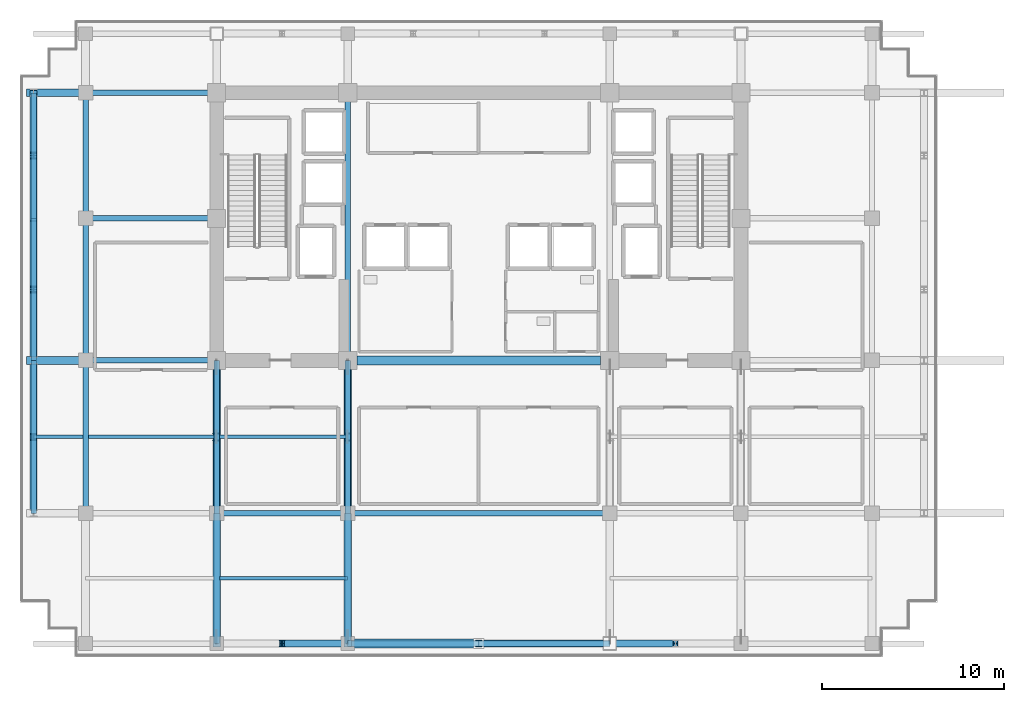
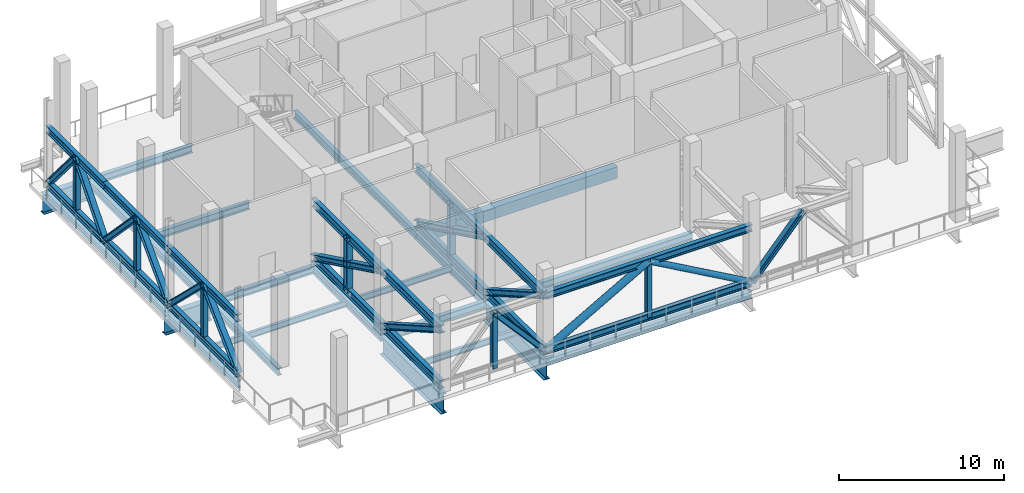
# One storey, part 2 of 13: 33 members, 23 beams.
"""IFC4 building model written with IfcOpenShell, lengths in metres."""

from ifc_helpers import new_model, si_unit, direction, frame, origin, origin_2d, place, context, subcontext, project, spatial, rectangle, hollow_circle, i_section, extrude, source, transform, mapped, material, material_profile, profile_set, type_object, element, save


model = new_model("IFC4")

# Units and contexts
model_context = context("Model", 3, precision=1e-05, world=origin(), true_north=direction((0.0, 1.0)))
body_context = subcontext(model_context, "Body", "Model", "MODEL_VIEW")
ifc_project = project(units=[si_unit("LENGTHUNIT", "METRE"), si_unit("AREAUNIT", "SQUARE_METRE"), si_unit("VOLUMEUNIT", "CUBIC_METRE"), si_unit("PLANEANGLEUNIT", "RADIAN"), si_unit("MASSUNIT", "GRAM", prefix="KILO")], contexts=[model_context])

# Site, building, storey
site_placement = place(None, origin())
site = spatial("IfcSite", under=ifc_project, at=site_placement, CompositionType="ELEMENT")
building_placement = place(site_placement, origin())
building = spatial("IfcBuilding", under=site, at=building_placement, Name="Zarnakvel Exchange Tower", CompositionType="ELEMENT")
storey_placement = place(building_placement, frame((0.0, 0.0, 139.60009765625)))
storey = spatial("IfcBuildingStorey", under=building, at=storey_placement, Name="L39", CompositionType="ELEMENT", Elevation=139.60009765625)

# Beams
ifc_material_1 = material(Name="Steel S355", Category="steel")
ifc_material_profile_1 = material_profile(ifc_material_1, i_section(OverallWidth=0.18994140625, OverallDepth=0.449951171875, WebThickness=0.009521484375, FlangeThickness=0.0146484375, FilletRadius=0.02099609375, at=origin_2d()))
ifc_profile_set_1 = profile_set([ifc_material_profile_1], Name="Steel S355")
beam_type_1 = type_object("IfcBeamType", Name="B-05", PredefinedType="JOIST", material=ifc_profile_set_1)
beam_1_placement = place(storey_placement, frame((-14.2451171875, -13.175048828125, -0.47509765625), z_axis=(1.0, 0.0, 0.0), x_axis=(0.0, 1.0, 0.0)))
element("IfcBeam", 1, at=beam_1_placement, inside=storey, type_object=beam_type_1, Name="L39 Composite Floor Secondary Joist", PredefinedType="JOIST", context=body_context, shape_type="SweptSolid", body=[
    extrude(i_section(OverallWidth=0.18994140625, OverallDepth=0.449951171875, WebThickness=0.009521484375, FlangeThickness=0.0146484375, FilletRadius=0.02099609375, at=origin_2d()), origin(), (0.0, 0.0, 1.0), 7.045166015625),
])
beam_2_placement = place(storey_placement, frame((-24.449951171875, -5.39990234375, -0.47509765625), z_axis=(1.0, 0.0, 0.0), x_axis=(0.0, 1.0, 0.0)))
element("IfcBeam", 2, at=beam_2_placement, inside=storey, type_object=beam_type_1, Name="L39 Composite Floor Secondary Joist", PredefinedType="JOIST", context=body_context, shape_type="SweptSolid", body=[
    extrude(i_section(OverallWidth=0.18994140625, OverallDepth=0.449951171875, WebThickness=0.009521484375, FlangeThickness=0.0146484375, FilletRadius=0.02099609375, at=origin_2d()), origin(), (0.0, 0.0, 1.0), 2.699951171875),
])
beam_3_placement = place(storey_placement, frame((-21.449951171875, -5.39990234375, -0.47509765625), z_axis=(1.0, 0.0, 0.0), x_axis=(0.0, 1.0, 0.0)))
element("IfcBeam", 3, at=beam_3_placement, inside=storey, type_object=beam_type_1, Name="L39 Composite Floor Secondary Joist", PredefinedType="JOIST", context=body_context, shape_type="SweptSolid", body=[
    extrude(i_section(OverallWidth=0.18994140625, OverallDepth=0.449951171875, WebThickness=0.009521484375, FlangeThickness=0.0146484375, FilletRadius=0.02099609375, at=origin_2d()), origin(), (0.0, 0.0, 1.0), 6.89990234375),
])
beam_4_placement = place(storey_placement, frame((-14.25, -5.39990234375, -0.47509765625), z_axis=(1.0, 0.0, 0.0), x_axis=(0.0, 1.0, 0.0)))
element("IfcBeam", 4, at=beam_4_placement, inside=storey, type_object=beam_type_1, Name="L39 Composite Floor Secondary Joist", PredefinedType="JOIST", context=body_context, shape_type="SweptSolid", body=[
    extrude(i_section(OverallWidth=0.18994140625, OverallDepth=0.449951171875, WebThickness=0.009521484375, FlangeThickness=0.0146484375, FilletRadius=0.02099609375, at=origin_2d()), origin(), (0.0, 0.0, 1.0), 7.050048828125),
])
ifc_material_2 = material(Name="Concrete C60/75", Category="concrete")
ifc_material_profile_2 = material_profile(ifc_material_2, rectangle(XDim=0.5, YDim=0.85009765625, at=origin_2d()))
ifc_profile_set_2 = profile_set([ifc_material_profile_2], Name="Concrete C60/75")
beam_type_2 = type_object("IfcBeamType", Name="CB-02", PredefinedType="LINTEL", material=ifc_profile_set_2)
beam_5_placement = place(storey_placement, frame((-6.699951171875, -1.199951171875, -0.675048828125), z_axis=(1.0, 0.0, 0.0), x_axis=(0.0, 1.0, 0.0)))
element("IfcBeam", 5, at=beam_5_placement, inside=storey, type_object=beam_type_2, Name="L39 Rear Core South Coupling Beam (CB-02)", PredefinedType="LINTEL", context=body_context, shape_type="SweptSolid", body=[
    extrude(rectangle(XDim=0.5, YDim=0.85009765625, at=origin_2d()), origin(), (0.0, 0.0, 1.0), 13.39990234375),
])
ifc_material_profile_3 = material_profile(ifc_material_1, i_section(OverallWidth=0.300048828125, OverallDepth=0.550048828125, WebThickness=0.014892578125, FlangeThickness=0.029052734375, FilletRadius=0.027099609375, at=origin_2d()))
ifc_profile_set_3 = profile_set([ifc_material_profile_3], Name="Steel S355")
beam_type_3 = type_object("IfcBeamType", Name="G-05", PredefinedType="BEAM", material=ifc_profile_set_3)
beam_6_placement = place(storey_placement, frame((-14.39990234375, -9.60009765625, -0.525146484375), z_axis=(1.0, 0.0, 0.0), x_axis=(0.0, 1.0, 0.0)))
element("IfcBeam", 6, at=beam_6_placement, inside=storey, type_object=beam_type_3, Name="L39 Tower E-W Frame Beam", PredefinedType="BEAM", context=body_context, shape_type="SweptSolid", body=[
    extrude(i_section(OverallWidth=0.300048828125, OverallDepth=0.550048828125, WebThickness=0.014892578125, FlangeThickness=0.029052734375, FilletRadius=0.027099609375, at=origin_2d()), origin(), (0.0, 0.0, 1.0), 7.199951171875),
])
beam_7_placement = place(storey_placement, frame((-7.199951171875, -9.60009765625, -0.525146484375), z_axis=(1.0, 0.0, 0.0), x_axis=(0.0, 1.0, 0.0)))
element("IfcBeam", 7, at=beam_7_placement, inside=storey, type_object=beam_type_3, Name="L39 Tower E-W Frame Beam", PredefinedType="BEAM", context=body_context, shape_type="SweptSolid", body=[
    extrude(i_section(OverallWidth=0.300048828125, OverallDepth=0.550048828125, WebThickness=0.014892578125, FlangeThickness=0.029052734375, FilletRadius=0.027099609375, at=origin_2d()), origin(), (0.0, 0.0, 1.0), 14.39990234375),
])
for number, where, z_axis, x_axis, name in (
    (8, (-21.60009765625, -1.199951171875, -0.525146484375), (1.0, 0.0, 0.0), (0.0, 1.0, 0.0), "L39 Tower E-W Frame Beam"),
    (9, (-21.60009765625, 6.60009765625, -0.525146484375), (1.0, 0.0, 0.0), (0.0, 1.0, 0.0), "L39 Tower E-W Frame Beam"),
    (10, (-21.60009765625, 13.5, -0.525146484375), (1.0, 0.0, 0.0), (0.0, 1.0, 0.0), "L39 Tower E-W Frame Beam"),
):
    element("IfcBeam", number, at=place(storey_placement, frame(where, z_axis=z_axis, x_axis=x_axis)), inside=storey, type_object=beam_type_3, Name=name, PredefinedType="BEAM", context=body_context, shape_type="SweptSolid", body=[
        extrude(i_section(OverallWidth=0.300048828125, OverallDepth=0.550048828125, WebThickness=0.014892578125, FlangeThickness=0.029052734375, FilletRadius=0.027099609375, at=origin_2d()), origin(), (0.0, 0.0, 1.0), 7.2001953125),
    ])
beam_8_placement = place(storey_placement, frame((-21.60009765625, -9.60009765625, -0.525146484375), z_axis=(0.0, 1.0, 0.0), x_axis=(-1.0, 0.0, 0.0)))
element("IfcBeam", 11, at=beam_8_placement, inside=storey, type_object=beam_type_3, Name="L39 Tower N-S Frame Beam", PredefinedType="BEAM", context=body_context, shape_type="SweptSolid", body=[
    extrude(i_section(OverallWidth=0.300048828125, OverallDepth=0.550048828125, WebThickness=0.014892578125, FlangeThickness=0.029052734375, FilletRadius=0.027099609375, at=origin_2d()), origin(), (0.0, 0.0, 1.0), 8.400146484375),
])
beam_9_placement = place(storey_placement, frame((-21.60009765625, -1.199951171875, -0.525146484375), z_axis=(0.0, 1.0, 0.0), x_axis=(-1.0, 0.0, 0.0)))
element("IfcBeam", 12, at=beam_9_placement, inside=storey, type_object=beam_type_3, Name="L39 Tower N-S Frame Beam", PredefinedType="BEAM", context=body_context, shape_type="SweptSolid", body=[
    extrude(i_section(OverallWidth=0.300048828125, OverallDepth=0.550048828125, WebThickness=0.014892578125, FlangeThickness=0.029052734375, FilletRadius=0.027099609375, at=origin_2d()), origin(), (0.0, 0.0, 1.0), 7.800048828125),
])
beam_10_placement = place(storey_placement, frame((-21.60009765625, 6.60009765625, -0.525146484375), z_axis=(0.0, 1.0, 0.0), x_axis=(-1.0, 0.0, 0.0)))
element("IfcBeam", 13, at=beam_10_placement, inside=storey, type_object=beam_type_3, Name="L39 Tower N-S Frame Beam", PredefinedType="BEAM", context=body_context, shape_type="SweptSolid", body=[
    extrude(i_section(OverallWidth=0.300048828125, OverallDepth=0.550048828125, WebThickness=0.014892578125, FlangeThickness=0.029052734375, FilletRadius=0.027099609375, at=origin_2d()), origin(), (0.0, 0.0, 1.0), 6.89990234375),
])
for number, where, z_axis, x_axis, name in (
    (14, (-14.39990234375, -9.60009765625, -0.525146484375), (0.0, 1.0, 0.0), (-1.0, 0.0, 0.0), "L39 Tower N-S Frame Beam"),
    (15, (-7.199951171875, -9.60009765625, -0.525146484375), (0.0, 1.0, 0.0), (-1.0, 0.0, 0.0), "L39 Tower N-S Frame Beam"),
):
    element("IfcBeam", number, at=place(storey_placement, frame(where, z_axis=z_axis, x_axis=x_axis)), inside=storey, type_object=beam_type_3, Name=name, PredefinedType="BEAM", context=body_context, shape_type="SweptSolid", body=[
        extrude(i_section(OverallWidth=0.300048828125, OverallDepth=0.550048828125, WebThickness=0.014892578125, FlangeThickness=0.029052734375, FilletRadius=0.027099609375, at=origin_2d()), origin(), (0.0, 0.0, 1.0), 8.400146484375),
    ])
beam_11_placement = place(storey_placement, frame((-7.199951171875, -1.199951171875, -0.525146484375), z_axis=(0.0, 1.0, 0.0), x_axis=(-1.0, 0.0, 0.0)))
element("IfcBeam", 16, at=beam_11_placement, inside=storey, type_object=beam_type_3, Name="L39 Tower N-S Frame Beam", PredefinedType="BEAM", context=body_context, shape_type="SweptSolid", body=[
    extrude(i_section(OverallWidth=0.300048828125, OverallDepth=0.550048828125, WebThickness=0.014892578125, FlangeThickness=0.029052734375, FilletRadius=0.027099609375, at=origin_2d()), origin(), (0.0, 0.0, 1.0), 14.699951171875),
])
ifc_material_profile_4 = material_profile(ifc_material_1, i_section(OverallWidth=0.300048828125, OverallDepth=0.5, WebThickness=0.014404296875, FlangeThickness=0.028076171875, FilletRadius=0.027099609375, at=origin_2d()))
ifc_profile_set_4 = profile_set([ifc_material_profile_4], Name="Steel S355")
beam_type_4 = type_object("IfcBeamType", Name="SP-02", PredefinedType="SPANDREL", material=ifc_profile_set_4)
beam_12_placement = place(storey_placement, frame((-7.199951171875, -16.75, -0.5), z_axis=(1.0, 0.0, 0.0), x_axis=(0.0, 1.0, 0.0)))
element("IfcBeam", 17, at=beam_12_placement, inside=storey, type_object=beam_type_4, Name="L39 Tower E-W Frame Beam", PredefinedType="SPANDREL", context=body_context, shape_type="SweptSolid", body=[
    extrude(i_section(OverallWidth=0.300048828125, OverallDepth=0.5, WebThickness=0.014404296875, FlangeThickness=0.028076171875, FilletRadius=0.027099609375, at=origin_2d()), origin(), (0.0, 0.0, 1.0), 14.39990234375),
])
beam_13_placement = place(storey_placement, frame((-24.449951171875, -9.60009765625, -0.5), z_axis=(0.0, 1.0, 0.0), x_axis=(-1.0, 0.0, 0.0)))
element("IfcBeam", 18, at=beam_13_placement, inside=storey, type_object=beam_type_4, Name="L39 Tower N-S Frame Beam", PredefinedType="SPANDREL", context=body_context, shape_type="SweptSolid", body=[
    extrude(i_section(OverallWidth=0.300048828125, OverallDepth=0.5, WebThickness=0.014404296875, FlangeThickness=0.028076171875, FilletRadius=0.027099609375, at=origin_2d()), origin(), (0.0, 0.0, 1.0), 8.400146484375),
])
beam_14_placement = place(storey_placement, frame((-24.449951171875, -1.199951171875, -0.5), z_axis=(0.0, 1.0, 0.0), x_axis=(-1.0, 0.0, 0.0)))
element("IfcBeam", 19, at=beam_14_placement, inside=storey, type_object=beam_type_4, Name="L39 Tower N-S Frame Beam", PredefinedType="SPANDREL", context=body_context, shape_type="SweptSolid", body=[
    extrude(i_section(OverallWidth=0.300048828125, OverallDepth=0.5, WebThickness=0.014404296875, FlangeThickness=0.028076171875, FilletRadius=0.027099609375, at=origin_2d()), origin(), (0.0, 0.0, 1.0), 14.699951171875),
])
ifc_material_3 = material(Name="Steel S460", Category="steel")
ifc_material_profile_5 = material_profile(ifc_material_3, i_section(OverallWidth=0.419921875, OverallDepth=1.449951171875, WebThickness=0.02392578125, FlangeThickness=0.0400390625, FilletRadius=0.030029296875, at=origin_2d()))
ifc_profile_set_5 = profile_set([ifc_material_profile_5], Name="Steel S460")
beam_type_5 = type_object("IfcBeamType", Name="TG-01", PredefinedType="BEAM", material=ifc_profile_set_5)
for number, where, z_axis, x_axis, name in (
    (20, (-14.39990234375, -16.949951171875, -0.97509765625), (0.0, 1.0, 0.0), (-1.0, 0.0, 0.0), "L39 Setback N-S Transfer Girder TS-4"),
    (21, (-7.199951171875, -16.949951171875, -0.97509765625), (0.0, 1.0, 0.0), (-1.0, 0.0, 0.0), "L39 Setback N-S Transfer Girder TS-5"),
):
    element("IfcBeam", number, at=place(storey_placement, frame(where, z_axis=z_axis, x_axis=x_axis)), inside=storey, type_object=beam_type_5, Name=name, PredefinedType="BEAM", context=body_context, shape_type="SweptSolid", body=[
        extrude(i_section(OverallWidth=0.419921875, OverallDepth=1.449951171875, WebThickness=0.02392578125, FlangeThickness=0.0400390625, FilletRadius=0.030029296875, at=origin_2d()), origin(), (0.0, 0.0, 1.0), 7.349853515625),
    ])
for number, where, z_axis, x_axis, name in (
    (22, (-24.85009765625, -1.199951171875, -0.97509765625), (1.0, 0.0, 0.0), (0.0, 1.0, 0.0), "L39 Setback E-W Transfer Girder TW-D"),
    (23, (-24.85009765625, 13.5, -0.97509765625), (1.0, 0.0, 0.0), (0.0, 1.0, 0.0), "L39 Setback E-W Transfer Girder TW-F"),
):
    element("IfcBeam", number, at=place(storey_placement, frame(where, z_axis=z_axis, x_axis=x_axis)), inside=storey, type_object=beam_type_5, Name=name, PredefinedType="BEAM", context=body_context, shape_type="SweptSolid", body=[
        extrude(i_section(OverallWidth=0.419921875, OverallDepth=1.449951171875, WebThickness=0.02392578125, FlangeThickness=0.0400390625, FilletRadius=0.030029296875, at=origin_2d()), origin(), (0.0, 0.0, 1.0), 3.25),
    ])

# Members
ifc_material_profile_6 = material_profile(ifc_material_1, i_section(OverallWidth=0.305908203125, OverallDepth=0.52392578125, WebThickness=0.02099609375, FlangeThickness=0.0400390625, FilletRadius=0.027099609375, at=origin_2d()))
ifc_profile_set_6 = profile_set([ifc_material_profile_6], Name="Steel S355")
member_type_1 = type_object("IfcMemberType", Name="BT-02", PredefinedType="CHORD", material=ifc_profile_set_6)
shared_shape_1 = source(origin(), body_context, "Body", "SweptSolid", [
    extrude(i_section(OverallWidth=0.305908203125, OverallDepth=0.52392578125, WebThickness=0.02099609375, FlangeThickness=0.0400390625, FilletRadius=0.027099609375, at=origin_2d()), origin(), (0.0, 0.0, 1.0), 8.400146484375),
])
for number, where, z_axis, x_axis, name in (
    (24, (-24.449951171875, -9.60009765625, 0.349853515625), (0.0, 1.0, 0.0), (-1.0, 0.0, 0.0), "L39 Belt Truss Bottom Chord W-1"),
    (25, (-24.449951171875, -9.60009765625, 4.4248046875), (0.0, 1.0, 0.0), (-1.0, 0.0, 0.0), "L39 Belt Truss Top Chord W-1"),
):
    element("IfcMember", number, at=place(storey_placement, frame(where, z_axis=z_axis, x_axis=x_axis)), inside=storey, type_object=member_type_1, Name=name, PredefinedType="CHORD", context=body_context, shape_type="MappedRepresentation", body=[
        mapped(shared_shape_1, transform((0.0, 0.0, 0.0), x_axis=(1.0, 0.0, 0.0), y_axis=(0.0, 1.0, 0.0), z_axis=(0.0, 0.0, 1.0), scale=1.0)),
    ])
shared_shape_2 = source(origin(), body_context, "Body", "SweptSolid", [
    extrude(i_section(OverallWidth=0.305908203125, OverallDepth=0.52392578125, WebThickness=0.02099609375, FlangeThickness=0.0400390625, FilletRadius=0.027099609375, at=origin_2d()), origin(), (0.0, 0.0, 1.0), 7.800048828125),
])
for number, where, z_axis, x_axis, name in (
    (26, (-24.449951171875, -1.199951171875, 0.349853515625), (0.0, 1.0, 0.0), (-1.0, 0.0, 0.0), "L39 Belt Truss Bottom Chord W-2"),
    (27, (-24.449951171875, -1.199951171875, 4.4248046875), (0.0, 1.0, 0.0), (-1.0, 0.0, 0.0), "L39 Belt Truss Top Chord W-2"),
):
    element("IfcMember", number, at=place(storey_placement, frame(where, z_axis=z_axis, x_axis=x_axis)), inside=storey, type_object=member_type_1, Name=name, PredefinedType="CHORD", context=body_context, shape_type="MappedRepresentation", body=[
        mapped(shared_shape_2, transform((0.0, 0.0, 0.0), x_axis=(1.0, 0.0, 0.0), y_axis=(0.0, 1.0, 0.0), z_axis=(0.0, 0.0, 1.0), scale=1.0)),
    ])
shared_shape_3 = source(origin(), body_context, "Body", "SweptSolid", [
    extrude(i_section(OverallWidth=0.305908203125, OverallDepth=0.52392578125, WebThickness=0.02099609375, FlangeThickness=0.0400390625, FilletRadius=0.027099609375, at=origin_2d()), origin(), (0.0, 0.0, 1.0), 6.89990234375),
])
for number, where, z_axis, x_axis, name in (
    (28, (-24.449951171875, 6.60009765625, 0.349853515625), (0.0, 1.0, 0.0), (-1.0, 0.0, 0.0), "L39 Belt Truss Bottom Chord W-3"),
    (29, (-24.449951171875, 6.60009765625, 4.4248046875), (0.0, 1.0, 0.0), (-1.0, 0.0, 0.0), "L39 Belt Truss Top Chord W-3"),
):
    element("IfcMember", number, at=place(storey_placement, frame(where, z_axis=z_axis, x_axis=x_axis)), inside=storey, type_object=member_type_1, Name=name, PredefinedType="CHORD", context=body_context, shape_type="MappedRepresentation", body=[
        mapped(shared_shape_3, transform((0.0, 0.0, 0.0), x_axis=(1.0, 0.0, 0.0), y_axis=(0.0, 1.0, 0.0), z_axis=(0.0, 0.0, 1.0), scale=1.0)),
    ])
shared_shape_4 = source(origin(), body_context, "Body", "SweptSolid", [
    extrude(i_section(OverallWidth=0.305908203125, OverallDepth=0.52392578125, WebThickness=0.02099609375, FlangeThickness=0.0400390625, FilletRadius=0.027099609375, at=origin_2d()), origin(), (0.0, 0.0, 1.0), 14.39990234375),
])
for number, where, z_axis, x_axis, name in (
    (30, (-7.199951171875, -16.75, 0.349853515625), (1.0, 0.0, 0.0), (0.0, 1.0, 0.0), "L39 Portal Bridge Bottom Chord"),
    (31, (-7.199951171875, -16.75, 4.4248046875), (1.0, 0.0, 0.0), (0.0, 1.0, 0.0), "L39 Portal Bridge Top Chord"),
):
    element("IfcMember", number, at=place(storey_placement, frame(where, z_axis=z_axis, x_axis=x_axis)), inside=storey, type_object=member_type_1, Name=name, PredefinedType="CHORD", context=body_context, shape_type="MappedRepresentation", body=[
        mapped(shared_shape_4, transform((0.0, 0.0, 0.0), x_axis=(1.0, 0.0, 0.0), y_axis=(0.0, 1.0, 0.0), z_axis=(0.0, 0.0, 1.0), scale=1.0)),
    ])
ifc_material_profile_7 = material_profile(ifc_material_3, i_section(OverallWidth=0.304931640625, OverallDepth=0.6201171875, WebThickness=0.02099609375, FlangeThickness=0.0400390625, FilletRadius=0.027099609375, at=origin_2d()))
ifc_profile_set_7 = profile_set([ifc_material_profile_7], Name="Steel S460")
member_type_2 = type_object("IfcMemberType", Name="OT-02", PredefinedType="CHORD", material=ifc_profile_set_7)
shared_shape_5 = source(origin(), body_context, "Body", "SweptSolid", [
    extrude(i_section(OverallWidth=0.304931640625, OverallDepth=0.6201171875, WebThickness=0.02099609375, FlangeThickness=0.0400390625, FilletRadius=0.027099609375, at=origin_2d()), origin(), (0.0, 0.0, 1.0), 15.550048828125),
])
for number, where, z_axis, x_axis, name in (
    (32, (-14.39990234375, -16.75, 0.349853515625), (0.0, 1.0, 0.0), (-1.0, 0.0, 0.0), "L39 Outrigger Bottom Chord Grid 4"),
    (33, (-14.39990234375, -16.75, 4.4248046875), (0.0, 1.0, 0.0), (-1.0, 0.0, 0.0), "L39 Outrigger Top Chord Grid 4"),
    (34, (-7.199951171875, -16.75, 0.349853515625), (0.0, 1.0, 0.0), (-1.0, 0.0, 0.0), "L39 Outrigger Bottom Chord Grid 5"),
    (35, (-7.199951171875, -16.75, 4.4248046875), (0.0, 1.0, 0.0), (-1.0, 0.0, 0.0), "L39 Outrigger Top Chord Grid 5"),
):
    element("IfcMember", number, at=place(storey_placement, frame(where, z_axis=z_axis, x_axis=x_axis)), inside=storey, type_object=member_type_2, Name=name, PredefinedType="CHORD", context=body_context, shape_type="MappedRepresentation", body=[
        mapped(shared_shape_5, transform((0.0, 0.0, 0.0), x_axis=(1.0, 0.0, 0.0), y_axis=(0.0, 1.0, 0.0), z_axis=(0.0, 0.0, 1.0), scale=1.0)),
    ])
ifc_material_profile_8 = material_profile(ifc_material_3, i_section(OverallWidth=0.404052734375, OverallDepth=0.406982421875, WebThickness=0.0224609375, FlangeThickness=0.031982421875, FilletRadius=0.014892578125, at=origin_2d()))
ifc_profile_set_8 = profile_set([ifc_material_profile_8], Name="Steel S460")
member_type_3 = type_object("IfcMemberType", Name="OT-03", PredefinedType="STRUT", material=ifc_profile_set_8)
shared_shape_6 = source(origin(), body_context, "Body", "SweptSolid", [
    extrude(i_section(OverallWidth=0.404052734375, OverallDepth=0.406982421875, WebThickness=0.0224609375, FlangeThickness=0.031982421875, FilletRadius=0.014892578125, at=origin_2d()), origin(), (0.0, 0.0, 1.0), 4.074951171875),
])
for number, where, z_axis, x_axis, name in (
    (36, (-14.39990234375, -5.39990234375, 0.349853515625), (0.0, 0.0, 1.0), (1.0, 0.0, 0.0), "L39 Outrigger Web Post Grid 4"),
    (37, (-7.199951171875, -5.39990234375, 0.349853515625), (0.0, 0.0, 1.0), (1.0, 0.0, 0.0), "L39 Outrigger Web Post Grid 5"),
):
    element("IfcMember", number, at=place(storey_placement, frame(where, z_axis=z_axis, x_axis=x_axis)), inside=storey, type_object=member_type_3, Name=name, PredefinedType="STRUT", context=body_context, shape_type="MappedRepresentation", body=[
        mapped(shared_shape_6, transform((0.0, 0.0, 0.0), x_axis=(1.0, 0.0, 0.0), y_axis=(0.0, 1.0, 0.0), z_axis=(0.0, 0.0, 1.0), scale=1.0)),
    ])
ifc_material_profile_9 = material_profile(ifc_material_3, i_section(OverallWidth=0.412109375, OverallDepth=0.425048828125, WebThickness=0.02587890625, FlangeThickness=0.0390625, FilletRadius=0.014892578125, at=origin_2d()))
ifc_profile_set_9 = profile_set([ifc_material_profile_9], Name="Steel S460")
member_type_4 = type_object("IfcMemberType", Name="OT-01", PredefinedType="BRACE", material=ifc_profile_set_9)
shared_shape_7 = source(origin(), body_context, "Body", "SweptSolid", [
    extrude(i_section(OverallWidth=0.412109375, OverallDepth=0.425048828125, WebThickness=0.02587890625, FlangeThickness=0.0390625, FilletRadius=0.014892578125, at=origin_2d()), origin(), (0.0, 0.0, 1.0), 9.33642578125),
])
for number, where, z_axis, x_axis, name in (
    (38, (-14.39990234375, -1.199951171875, 0.349853515625), (0.0, -0.89972356607, 0.436460198252), (1.0, 0.0, 0.0), "L39 Outrigger Inner Diagonal 1 Grid 4"),
    (39, (-7.199951171875, -1.199951171875, 0.349853515625), (0.0, -0.89972356607, 0.436460198252), (1.0, 0.0, 0.0), "L39 Outrigger Inner Diagonal 1 Grid 5"),
):
    element("IfcMember", number, at=place(storey_placement, frame(where, z_axis=z_axis, x_axis=x_axis)), inside=storey, type_object=member_type_4, Name=name, PredefinedType="BRACE", context=body_context, shape_type="MappedRepresentation", body=[
        mapped(shared_shape_7, transform((0.0, 0.0, 0.0), x_axis=(1.0, 0.0, 0.0), y_axis=(0.0, 1.0, 0.0), z_axis=(0.0, 0.0, 1.0), scale=1.0)),
    ])
shared_shape_8 = source(origin(), body_context, "Body", "SweptSolid", [
    extrude(i_section(OverallWidth=0.412109375, OverallDepth=0.425048828125, WebThickness=0.02587890625, FlangeThickness=0.0390625, FilletRadius=0.014892578125, at=origin_2d()), origin(), (0.0, 0.0, 1.0), 8.2294921875),
])
for number, where, z_axis, x_axis, name in (
    (40, (-14.39990234375, -9.60009765625, 0.349853515625), (0.0, -0.868803050291, 0.49515781303), (1.0, 0.0, 0.0), "L39 Outrigger Outer Diagonal 2 Grid 4"),
    (41, (-7.199951171875, -9.60009765625, 0.349853515625), (0.0, -0.868803050291, 0.49515781303), (1.0, 0.0, 0.0), "L39 Outrigger Outer Diagonal 2 Grid 5"),
):
    element("IfcMember", number, at=place(storey_placement, frame(where, z_axis=z_axis, x_axis=x_axis)), inside=storey, type_object=member_type_4, Name=name, PredefinedType="BRACE", context=body_context, shape_type="MappedRepresentation", body=[
        mapped(shared_shape_8, transform((0.0, 0.0, 0.0), x_axis=(1.0, 0.0, 0.0), y_axis=(0.0, 1.0, 0.0), z_axis=(0.0, 0.0, 1.0), scale=1.0)),
    ])
ifc_material_profile_10 = material_profile(ifc_material_1, i_section(OverallWidth=0.30908203125, OverallDepth=0.35888671875, WebThickness=0.02099609375, FlangeThickness=0.033935546875, FilletRadius=0.014892578125, at=origin_2d()))
ifc_profile_set_10 = profile_set([ifc_material_profile_10], Name="Steel S355")
member_type_5 = type_object("IfcMemberType", Name="BT-03", PredefinedType="STRUT", material=ifc_profile_set_10)
shared_shape_9 = source(origin(), body_context, "Body", "SweptSolid", [
    extrude(i_section(OverallWidth=0.30908203125, OverallDepth=0.35888671875, WebThickness=0.02099609375, FlangeThickness=0.033935546875, FilletRadius=0.014892578125, at=origin_2d()), origin(), (0.0, 0.0, 1.0), 4.074951171875),
])
for number, where, z_axis, x_axis, name in (
    (42, (-10.800048828125, -16.75, 0.349853515625), (0.0, 0.0, 1.0), (1.0, 0.0, 0.0), "L39 Belt Truss Vertical Post S-W1"),
    (43, (-24.449951171875, -5.39990234375, 0.349853515625), (0.0, 0.0, 1.0), (1.0, 0.0, 0.0), "L39 Belt Truss Vertical Post W-1"),
    (44, (-24.449951171875, 2.699951171875, 0.349853515625), (0.0, 0.0, 1.0), (1.0, 0.0, 0.0), "L39 Belt Truss Vertical Post W-2"),
    (45, (-24.449951171875, 10.050048828125, 0.349853515625), (0.0, 0.0, 1.0), (1.0, 0.0, 0.0), "L39 Belt Truss Vertical Post W-3"),
    (46, (0.0, -16.75, 0.349853515625), (0.0, 0.0, 1.0), (1.0, 0.0, 0.0), "L39 Portal Bridge Center Post"),
):
    element("IfcMember", number, at=place(storey_placement, frame(where, z_axis=z_axis, x_axis=x_axis)), inside=storey, type_object=member_type_5, Name=name, PredefinedType="STRUT", context=body_context, shape_type="MappedRepresentation", body=[
        mapped(shared_shape_9, transform((0.0, 0.0, 0.0), x_axis=(1.0, 0.0, 0.0), y_axis=(0.0, 1.0, 0.0), z_axis=(0.0, 0.0, 1.0), scale=1.0)),
    ])
ifc_material_profile_11 = material_profile(ifc_material_1, i_section(OverallWidth=0.3740234375, OverallDepth=0.364013671875, WebThickness=0.01806640625, FlangeThickness=0.027587890625, FilletRadius=0.014892578125, at=origin_2d()))
ifc_profile_set_11 = profile_set([ifc_material_profile_11], Name="Steel S355")
member_type_6 = type_object("IfcMemberType", Name="BT-01", PredefinedType="BRACE", material=ifc_profile_set_11)
shared_shape_10 = source(origin(), body_context, "Body", "SweptSolid", [
    extrude(i_section(OverallWidth=0.3740234375, OverallDepth=0.364013671875, WebThickness=0.01806640625, FlangeThickness=0.027587890625, FilletRadius=0.014892578125, at=origin_2d()), origin(), (0.0, 0.0, 1.0), 5.4375),
])
for number, where, z_axis, x_axis, name in (
    (47, (-7.199951171875, -16.75, 0.349853515625), (-0.662092255635, 0.0, 0.749422340892), (0.0, -1.0, 0.0), "L39 Belt Truss Chevron Right S-W1"),
    (48, (7.199951171875, -16.75, 0.349853515625), (0.662092255635, 0.0, 0.749422340892), (0.0, 1.0, 0.0), "L39 Belt Truss Chevron Left S-E1"),
):
    element("IfcMember", number, at=place(storey_placement, frame(where, z_axis=z_axis, x_axis=x_axis)), inside=storey, type_object=member_type_6, Name=name, PredefinedType="BRACE", context=body_context, shape_type="MappedRepresentation", body=[
        mapped(shared_shape_10, transform((0.0, 0.0, 0.0), x_axis=(1.0, 0.0, 0.0), y_axis=(0.0, 1.0, 0.0), z_axis=(0.0, 0.0, 1.0), scale=1.0)),
    ])
shared_shape_11 = source(origin(), body_context, "Body", "SweptSolid", [
    extrude(i_section(OverallWidth=0.3740234375, OverallDepth=0.364013671875, WebThickness=0.01806640625, FlangeThickness=0.027587890625, FilletRadius=0.014892578125, at=origin_2d()), origin(), (0.0, 0.0, 1.0), 5.85205078125),
])
member_1_placement = place(storey_placement, frame((-24.449951171875, -9.60009765625, 0.349853515625), z_axis=(0.0, 0.717726625898, 0.696324989123), x_axis=(-1.0, 0.0, 0.0)))
element("IfcMember", 49, at=member_1_placement, inside=storey, type_object=member_type_6, Name="L39 Belt Truss Chevron Left W-1", PredefinedType="BRACE", context=body_context, shape_type="MappedRepresentation", body=[
    mapped(shared_shape_11, transform((0.0, 0.0, 0.0), x_axis=(1.0, 0.0, 0.0), y_axis=(0.0, 1.0, 0.0), z_axis=(0.0, 0.0, 1.0), scale=1.0)),
])
shared_shape_12 = source(origin(), body_context, "Body", "SweptSolid", [
    extrude(i_section(OverallWidth=0.3740234375, OverallDepth=0.364013671875, WebThickness=0.01806640625, FlangeThickness=0.027587890625, FilletRadius=0.014892578125, at=origin_2d()), origin(), (0.0, 0.0, 1.0), 5.851806640625),
])
member_2_placement = place(storey_placement, frame((-24.449951171875, -1.199951171875, 0.349853515625), z_axis=(0.0, -0.71770639696, 0.696345839194), x_axis=(1.0, 0.0, 0.0)))
element("IfcMember", 50, at=member_2_placement, inside=storey, type_object=member_type_6, Name="L39 Belt Truss Chevron Right W-1", PredefinedType="BRACE", context=body_context, shape_type="MappedRepresentation", body=[
    mapped(shared_shape_12, transform((0.0, 0.0, 0.0), x_axis=(1.0, 0.0, 0.0), y_axis=(0.0, 1.0, 0.0), z_axis=(0.0, 0.0, 1.0), scale=1.0)),
])
shared_shape_13 = source(origin(), body_context, "Body", "SweptSolid", [
    extrude(i_section(OverallWidth=0.3740234375, OverallDepth=0.364013671875, WebThickness=0.01806640625, FlangeThickness=0.027587890625, FilletRadius=0.014892578125, at=origin_2d()), origin(), (0.0, 0.0, 1.0), 5.640380859375),
])
member_3_placement = place(storey_placement, frame((-24.449951171875, -1.199951171875, 0.349853515625), z_axis=(0.0, 0.691419171791, 0.722453824738), x_axis=(-1.0, 0.0, 0.0)))
element("IfcMember", 51, at=member_3_placement, inside=storey, type_object=member_type_6, Name="L39 Belt Truss Chevron Left W-2", PredefinedType="BRACE", context=body_context, shape_type="MappedRepresentation", body=[
    mapped(shared_shape_13, transform((0.0, 0.0, 0.0), x_axis=(1.0, 0.0, 0.0), y_axis=(0.0, 1.0, 0.0), z_axis=(0.0, 0.0, 1.0), scale=1.0)),
])
shared_shape_14 = source(origin(), body_context, "Body", "SweptSolid", [
    extrude(i_section(OverallWidth=0.3740234375, OverallDepth=0.364013671875, WebThickness=0.01806640625, FlangeThickness=0.027587890625, FilletRadius=0.014892578125, at=origin_2d()), origin(), (0.0, 0.0, 1.0), 5.640625),
])
member_4_placement = place(storey_placement, frame((-24.449951171875, 6.60009765625, 0.349853515625), z_axis=(0.0, -0.691441762426, 0.722432203859), x_axis=(1.0, 0.0, 0.0)))
element("IfcMember", 52, at=member_4_placement, inside=storey, type_object=member_type_6, Name="L39 Belt Truss Chevron Right W-2", PredefinedType="BRACE", context=body_context, shape_type="MappedRepresentation", body=[
    mapped(shared_shape_14, transform((0.0, 0.0, 0.0), x_axis=(1.0, 0.0, 0.0), y_axis=(0.0, 1.0, 0.0), z_axis=(0.0, 0.0, 1.0), scale=1.0)),
])
shared_shape_15 = source(origin(), body_context, "Body", "SweptSolid", [
    extrude(i_section(OverallWidth=0.3740234375, OverallDepth=0.364013671875, WebThickness=0.01806640625, FlangeThickness=0.027587890625, FilletRadius=0.014892578125, at=origin_2d()), origin(), (0.0, 0.0, 1.0), 5.339111328125),
])
for number, where, z_axis, x_axis, name in (
    (53, (-24.449951171875, 6.60009765625, 0.349853515625), (0.0, 0.646151294523, 0.76320934519), (-1.0, 0.0, 0.0), "L39 Belt Truss Chevron Left W-3"),
    (54, (-24.449951171875, 13.5, 0.349853515625), (0.0, -0.646151294523, 0.76320934519), (1.0, 0.0, 0.0), "L39 Belt Truss Chevron Right W-3"),
):
    element("IfcMember", number, at=place(storey_placement, frame(where, z_axis=z_axis, x_axis=x_axis)), inside=storey, type_object=member_type_6, Name=name, PredefinedType="BRACE", context=body_context, shape_type="MappedRepresentation", body=[
        mapped(shared_shape_15, transform((0.0, 0.0, 0.0), x_axis=(1.0, 0.0, 0.0), y_axis=(0.0, 1.0, 0.0), z_axis=(0.0, 0.0, 1.0), scale=1.0)),
    ])
ifc_material_profile_12 = material_profile(ifc_material_1, hollow_circle(Radius=0.25390625, WallThickness=0.02490234375, at=origin_2d()))
ifc_profile_set_12 = profile_set([ifc_material_profile_12], Name="Steel S355")
member_type_7 = type_object("IfcMemberType", Name="VT-01", PredefinedType="BRACE", material=ifc_profile_set_12)
shared_shape_16 = source(origin(), body_context, "Body", "SweptSolid", [
    extrude(hollow_circle(Radius=0.25390625, WallThickness=0.02490234375, at=origin_2d()), origin(), (0.0, 0.0, 1.0), 8.273193359375),
])
member_5_placement = place(storey_placement, frame((-7.199951171875, -16.75, 0.349853515625), z_axis=(0.870282393784, 0.0, 0.49255309873), x_axis=(0.0, 1.0, 0.0)))
element("IfcMember", 55, at=member_5_placement, inside=storey, type_object=member_type_7, Name="L39 Portal Bridge Diagonal VT-01", PredefinedType="BRACE", context=body_context, shape_type="MappedRepresentation", body=[
    mapped(shared_shape_16, transform((0.0, 0.0, 0.0), x_axis=(1.0, 0.0, 0.0), y_axis=(0.0, 1.0, 0.0), z_axis=(0.0, 0.0, 1.0), scale=1.0)),
])
ifc_material_profile_13 = material_profile(ifc_material_1, hollow_circle(Radius=0.203125, WallThickness=0.02001953125, at=origin_2d()))
ifc_profile_set_13 = profile_set([ifc_material_profile_13], Name="Steel S355")
member_type_8 = type_object("IfcMemberType", Name="VT-02", PredefinedType="BRACE", material=ifc_profile_set_13)
shared_shape_17 = source(origin(), body_context, "Body", "SweptSolid", [
    extrude(hollow_circle(Radius=0.203125, WallThickness=0.02001953125, at=origin_2d()), origin(), (0.0, 0.0, 1.0), 8.273193359375),
])
member_6_placement = place(storey_placement, frame((7.199951171875, -16.75, 0.349853515625), z_axis=(-0.870282393784, 0.0, 0.49255309873), x_axis=(0.0, -1.0, 0.0)))
element("IfcMember", 56, at=member_6_placement, inside=storey, type_object=member_type_8, Name="L39 Portal Bridge Diagonal VT-02", PredefinedType="BRACE", context=body_context, shape_type="MappedRepresentation", body=[
    mapped(shared_shape_17, transform((0.0, 0.0, 0.0), x_axis=(1.0, 0.0, 0.0), y_axis=(0.0, 1.0, 0.0), z_axis=(0.0, 0.0, 1.0), scale=1.0)),
])

save(model, "model.ifc")
